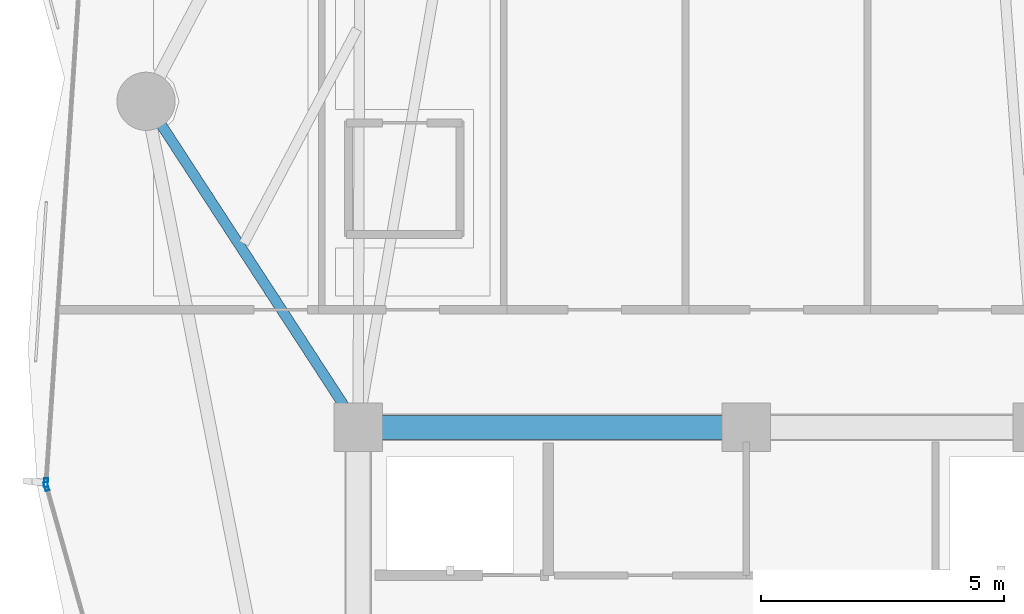
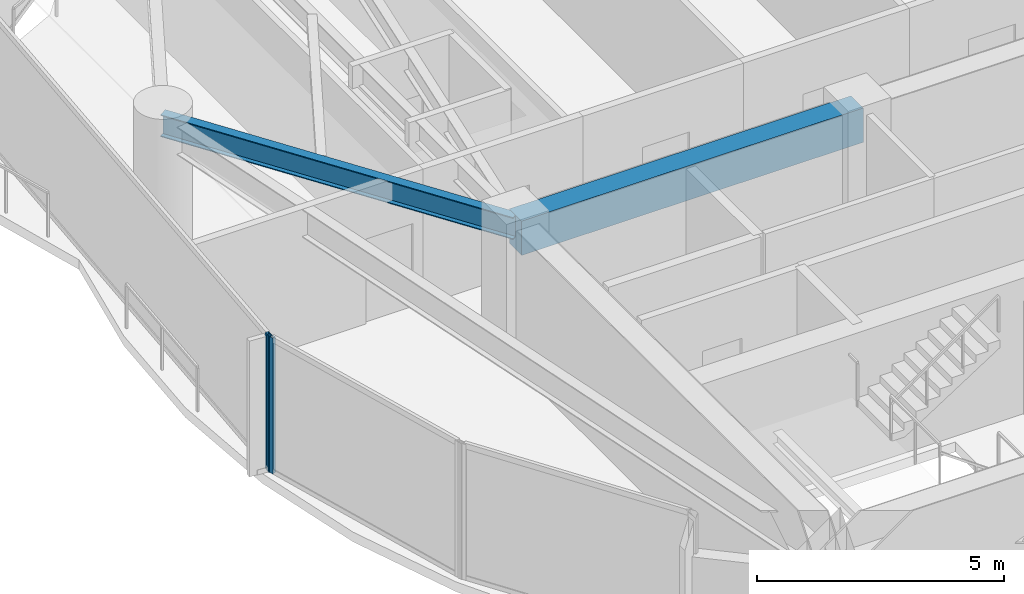
# One storey, part 7 of 31: 2 beams, 2 members, 2 elements without a shape of their own.
"""IFC4 building model written with IfcOpenShell, lengths in metres."""

from ifc_helpers import new_model, si_unit, direction, frame, origin, origin_2d, place, context, subcontext, project, spatial, rectangle, hollow_rectangle, i_section, extrude, material, layer, layer_set, material_profile, profile_set, type_object, element, aggregate, save


model = new_model("IFC4")

# Units and contexts
model_context = context("Model", 3, precision=1e-05, world=origin(), true_north=direction((0.0, 1.0)))
body_context = subcontext(model_context, "Body", "Model", "MODEL_VIEW")
ifc_project = project(units=[si_unit("LENGTHUNIT", "METRE"), si_unit("AREAUNIT", "SQUARE_METRE"), si_unit("VOLUMEUNIT", "CUBIC_METRE"), si_unit("PLANEANGLEUNIT", "RADIAN"), si_unit("MASSUNIT", "GRAM", prefix="KILO")], contexts=[model_context])

# Site, building, storey
site_placement = place(None, origin())
site = spatial("IfcSite", under=ifc_project, at=site_placement, CompositionType="ELEMENT")
building_placement = place(site_placement, origin())
building = spatial("IfcBuilding", under=site, at=building_placement, Name="Kazevale Care Tower and Concert Hall", CompositionType="ELEMENT")
storey_placement = place(building_placement, frame((0.0, 0.0, 117.0)))
storey = spatial("IfcBuildingStorey", under=building, at=storey_placement, Name="L30", CompositionType="ELEMENT", Elevation=117.0)

# Curtain wall, member
ifc_material_1 = material(Name="Aluminium 6063-T6 and Low-E Glass", Category="aluminium")
ifc_layer = layer(ifc_material_1, 0.179931640625)
ifc_layer_set = layer_set([ifc_layer], Name="Aluminium 6063-T6 and Low-E Glass")
curtain_wall_type = type_object("IfcCurtainWallType", Name="Waist & Upper Residential Curtain Wall CW-4", PredefinedType="NOTDEFINED", material=ifc_layer_set)
curtain_wall_1_placement = place(storey_placement, origin())
curtain_wall_1 = element("IfcCurtainWall", 1, at=curtain_wall_1_placement, inside=storey, type_object=curtain_wall_type, Name="cw:L30:f12", PredefinedType="NOTDEFINED")
ifc_material_2 = material(Name="Aluminium 6063-T6", Category="aluminium")
ifc_material_profile_1 = material_profile(ifc_material_2, hollow_rectangle(XDim=0.080078125, YDim=0.179931640625, WallThickness=0.0048828125, at=origin_2d()), Name="ALU80x180x5")
ifc_profile_set_1 = profile_set([ifc_material_profile_1], Name="Aluminium 6063-T6")
member_type = type_object("IfcMemberType", Name="CW-4 Mullion ALU80x180x5", PredefinedType="MULLION", material=ifc_profile_set_1)
member_1_placement = place(storey_placement, frame((15.576904296875, 35.18359375, 0.0), z_axis=(0.0, 0.0, 1.0), x_axis=(-0.962499078876, -0.271284948278, 0.0)))
member_1 = element("IfcMember", 2, at=member_1_placement, type_object=member_type, Name="CW-4 mullion 2", PredefinedType="MULLION", context=body_context, shape_type="SweptSolid", body=[
    extrude(hollow_rectangle(XDim=0.080078125, YDim=0.179931640625, WallThickness=0.0048828125, at=origin_2d()), origin(), (0.0, 0.0, 1.0), 3.360107421875),
])
aggregate(curtain_wall_1, [member_1])

curtain_wall_2_placement = place(storey_placement, origin())
curtain_wall_2 = element("IfcCurtainWall", 3, at=curtain_wall_2_placement, inside=storey, type_object=curtain_wall_type, Name="cw:L30:f13", PredefinedType="NOTDEFINED")
member_2_placement = place(storey_placement, frame((15.568603515625, 35.261962890625, 0.0), z_axis=(0.0, 0.0, 1.0), x_axis=(-0.997778418439, 0.06662002475, 0.0)))
member_2 = element("IfcMember", 4, at=member_2_placement, type_object=member_type, Name="CW-4 mullion 1", PredefinedType="MULLION", context=body_context, shape_type="SweptSolid", body=[
    extrude(hollow_rectangle(XDim=0.080078125, YDim=0.179931640625, WallThickness=0.0048828125, at=origin_2d()), origin(), (0.0, 0.0, 1.0), 3.360107421875),
])
aggregate(curtain_wall_2, [member_2])

# Beams
ifc_material_3 = material(Name="Concrete C60", Category="concrete")
ifc_material_profile_2 = material_profile(ifc_material_3, rectangle(XDim=0.5, YDim=0.85009765625, at=origin_2d()), Name="RC-B500x850")
ifc_profile_set_2 = profile_set([ifc_material_profile_2], Name="Concrete C60")
beam_type_1 = type_object("IfcBeamType", Name="Core Coupling Beam RC500x850", PredefinedType="LINTEL", material=ifc_profile_set_2)
beam_1_placement = place(storey_placement, frame((30.0, 36.39990234375, 2.93505859375), z_axis=(-1.0, 0.0, 0.0), x_axis=(0.0, -1.0, 0.0)))
element("IfcBeam", 5, at=beam_1_placement, inside=storey, type_object=beam_type_1, Name="beam:L30:coretie:7", PredefinedType="LINTEL", context=body_context, shape_type="SweptSolid", body=[
    extrude(rectangle(XDim=0.5, YDim=0.85009765625, at=origin_2d()), origin(), (0.0, 0.0, 1.0), 8.0),
])
ifc_material_4 = material(Name="Steel ASTM A572 Gr 50", Category="steel")
ifc_material_profile_3 = material_profile(ifc_material_4, i_section(OverallWidth=0.2119140625, OverallDepth=0.5439453125, WebThickness=0.01318359375, FlangeThickness=0.021240234375, at=origin_2d()), Name="W530x123")
ifc_profile_set_3 = profile_set([ifc_material_profile_3], Name="Steel ASTM A572 Gr 50")
beam_type_2 = type_object("IfcBeamType", Name="Radial Floor Girder W530x123", PredefinedType="BEAM", material=ifc_profile_set_3)
beam_2_placement = place(storey_placement, frame((22.0, 36.39990234375, 3.087890625), z_axis=(-0.5451617613, 0.83833087383, 0.0), x_axis=(-0.83833087383, -0.5451617613, 0.0)))
element("IfcBeam", 6, at=beam_2_placement, inside=storey, type_object=beam_type_2, Name="beam:L30:rad:09", PredefinedType="BEAM", context=body_context, shape_type="SweptSolid", body=[
    extrude(i_section(OverallWidth=0.2119140625, OverallDepth=0.5439453125, WebThickness=0.01318359375, FlangeThickness=0.021240234375, at=origin_2d()), origin(), (0.0, 0.0, 1.0), 8.01611328125),
])

save(model, "model.ifc")
